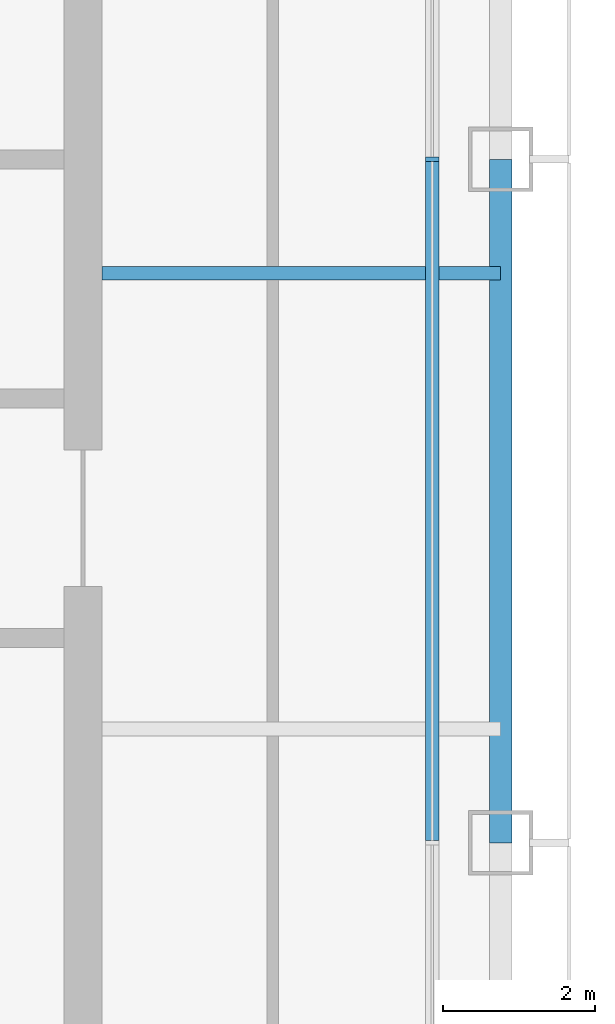
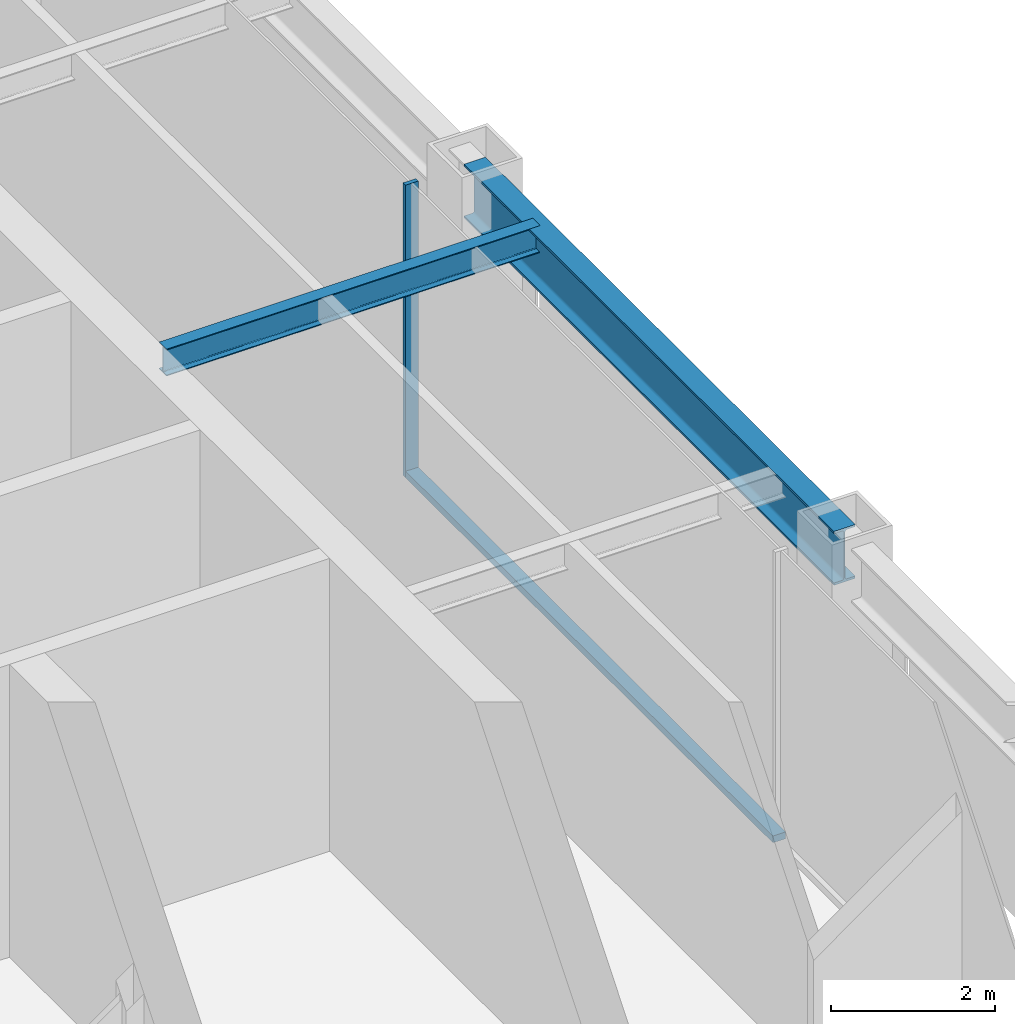
# One storey, part 5 of 23: 2 beams, 2 members, 1 element without a shape of its own.
"""IFC4 building model written with IfcOpenShell, lengths in metres."""

from ifc_helpers import new_model, si_unit, direction, frame, origin, origin_2d, place, context, subcontext, project, spatial, rectangle, i_section, extrude, material, layer, layer_set, material_profile, profile_set, type_object, element, aggregate, save


model = new_model("IFC4")

# Units and contexts
model_context = context("Model", 3, precision=1e-05, world=origin(), true_north=direction((0.0, 1.0)))
body_context = subcontext(model_context, "Body", "Model", "MODEL_VIEW")
ifc_project = project(units=[si_unit("LENGTHUNIT", "METRE"), si_unit("AREAUNIT", "SQUARE_METRE"), si_unit("VOLUMEUNIT", "CUBIC_METRE"), si_unit("PLANEANGLEUNIT", "RADIAN"), si_unit("MASSUNIT", "GRAM", prefix="KILO")], contexts=[model_context])

# Site, building, storey
site_placement = place(None, origin())
site = spatial("IfcSite", under=ifc_project, at=site_placement, CompositionType="ELEMENT")
building_placement = place(site_placement, origin())
building = spatial("IfcBuilding", under=site, at=building_placement, Name="Siwar Civic Tower", CompositionType="ELEMENT")
storey_placement = place(building_placement, frame((0.0, 0.0, 224.199951171875)))
storey = spatial("IfcBuildingStorey", under=building, at=storey_placement, Name="L48", CompositionType="ELEMENT", Elevation=224.199951171875)

# Curtain wall, members
ifc_material_1 = material(Name="Aluminium and glass", Category="aluminium")
ifc_layer = layer(ifc_material_1, 0.179931640625)
ifc_layer_set = layer_set([ifc_layer], Name="Aluminium and glass")
curtain_wall_type = type_object("IfcCurtainWallType", Name="ENV-CW-C", PredefinedType="NOTDEFINED", material=ifc_layer_set)
curtain_wall_placement = place(storey_placement, origin())
curtain_wall = element("IfcCurtainWall", 1, at=curtain_wall_placement, inside=storey, type_object=curtain_wall_type, Name="Curtain wall C E", PredefinedType="NOTDEFINED")
ifc_material_2 = material(Name="Aluminium 6063-T6", Category="aluminium")
ifc_material_profile_1 = material_profile(ifc_material_2, rectangle(XDim=0.179931640625, YDim=0.06005859375, at=origin_2d()), Name="AL 180x60")
ifc_profile_set_1 = profile_set([ifc_material_profile_1], Name="Aluminium 6063-T6")
member_type_1 = type_object("IfcMemberType", Name="ENV-MULLION-C", PredefinedType="MULLION", material=ifc_profile_set_1)
member_1_placement = place(storey_placement, frame((26.10009765625, 0.0, 0.0), z_axis=(0.0, 0.0, 1.0), x_axis=(-1.0, 0.0, 0.0)))
member_1 = element("IfcMember", 2, at=member_1_placement, type_object=member_type_1, Name="Mullion C E 3", PredefinedType="MULLION", context=body_context, shape_type="SweptSolid", body=[
    extrude(rectangle(XDim=0.179931640625, YDim=0.06005859375, at=origin_2d()), origin(), (0.0, 0.0, 1.0), 4.35009765625),
])
ifc_material_3 = material(Name="Aluminium 6063-T6", Category="aluminium")
ifc_material_profile_2 = material_profile(ifc_material_3, rectangle(XDim=0.179931640625, YDim=0.10009765625, at=origin_2d()), Name="AL 180x100")
ifc_profile_set_2 = profile_set([ifc_material_profile_2], Name="Aluminium 6063-T6")
member_type_2 = type_object("IfcMemberType", Name="ENV-TRANSOM-C", PredefinedType="USERDEFINED", material=ifc_profile_set_2)
member_2_placement = place(storey_placement, frame((26.10009765625, -8.969970703125, 0.050048828125), z_axis=(0.0, 1.0, 0.0), x_axis=(-1.0, 0.0, 0.0)))
member_2 = element("IfcMember", 3, at=member_2_placement, type_object=member_type_2, Name="Transom C E 2", ObjectType="TRANSOM", PredefinedType="USERDEFINED", context=body_context, shape_type="SweptSolid", body=[
    extrude(rectangle(XDim=0.179931640625, YDim=0.10009765625, at=origin_2d()), origin(), (0.0, 0.0, 1.0), 8.93994140625),
])
aggregate(curtain_wall, [member_1, member_2])

# Beams
ifc_material_4 = material(Name="Steel S355", Category="steel")
ifc_material_profile_3 = material_profile(ifc_material_4, i_section(OverallWidth=0.179931640625, OverallDepth=0.39990234375, WebThickness=0.008544921875, FlangeThickness=0.013427734375, FilletRadius=0.02099609375, at=origin_2d()), Name="IPE400")
ifc_profile_set_3 = profile_set([ifc_material_profile_3], Name="Steel S355")
beam_type_1 = type_object("IfcBeamType", Name="STR-FB-IPE400", PredefinedType="JOIST", material=ifc_profile_set_3)
beam_1_placement = place(storey_placement, frame((21.75, -1.5, 4.150146484375), z_axis=(1.0, 0.0, 0.0), x_axis=(0.0, 1.0, 0.0)))
element("IfcBeam", 4, at=beam_1_placement, inside=storey, type_object=beam_type_1, Name="L48/bm/F024", PredefinedType="JOIST", context=body_context, shape_type="SweptSolid", body=[
    extrude(i_section(OverallWidth=0.179931640625, OverallDepth=0.39990234375, WebThickness=0.008544921875, FlangeThickness=0.013427734375, FilletRadius=0.02099609375, at=origin_2d()), origin(), (0.0, 0.0, 1.0), 5.25),
])
ifc_material_5 = material(Name="Steel S355", Category="steel")
ifc_material_profile_4 = material_profile(ifc_material_5, i_section(OverallWidth=0.300048828125, OverallDepth=0.800048828125, WebThickness=0.017578125, FlangeThickness=0.032958984375, FilletRadius=0.030029296875, at=origin_2d()), Name="HEB800")
ifc_profile_set_4 = profile_set([ifc_material_profile_4], Name="Steel S355")
beam_type_2 = type_object("IfcBeamType", Name="STR-SB-HEB800", PredefinedType="BEAM", material=ifc_profile_set_4)
beam_2_placement = place(storey_placement, frame((27.0, -9.0, 3.949951171875), z_axis=(0.0, 1.0, 0.0), x_axis=(-1.0, 0.0, 0.0)))
element("IfcBeam", 5, at=beam_2_placement, inside=storey, type_object=beam_type_2, Name="L48/bm/SE-1", PredefinedType="BEAM", context=body_context, shape_type="SweptSolid", body=[
    extrude(i_section(OverallWidth=0.300048828125, OverallDepth=0.800048828125, WebThickness=0.017578125, FlangeThickness=0.032958984375, FilletRadius=0.030029296875, at=origin_2d()), origin(), (0.0, 0.0, 1.0), 9.0),
])

save(model, "model.ifc")
